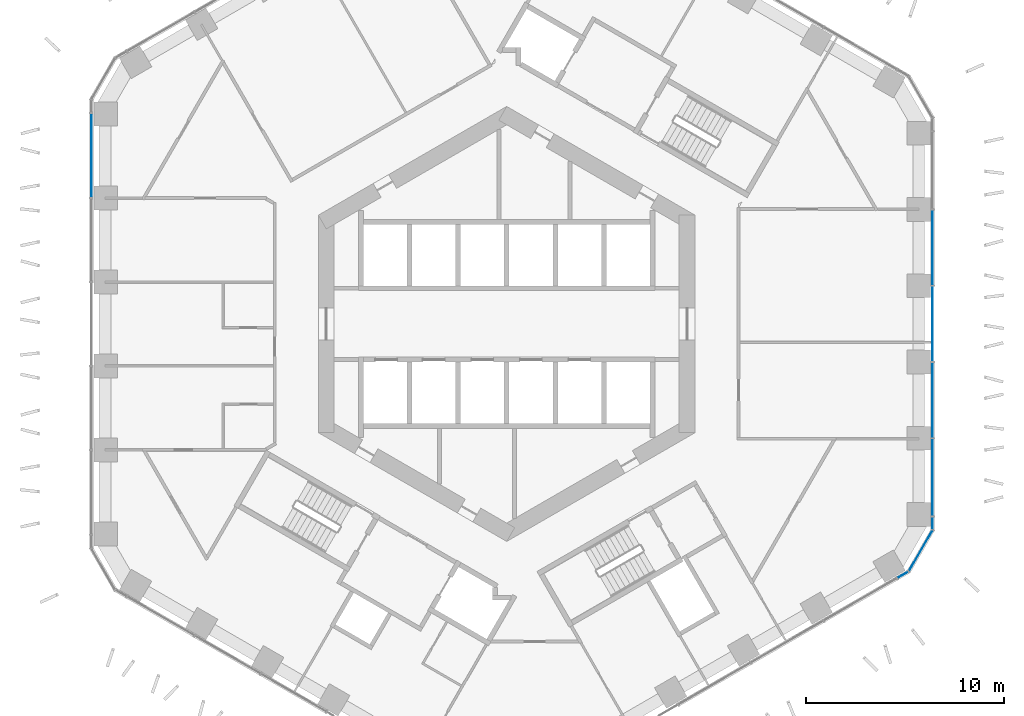
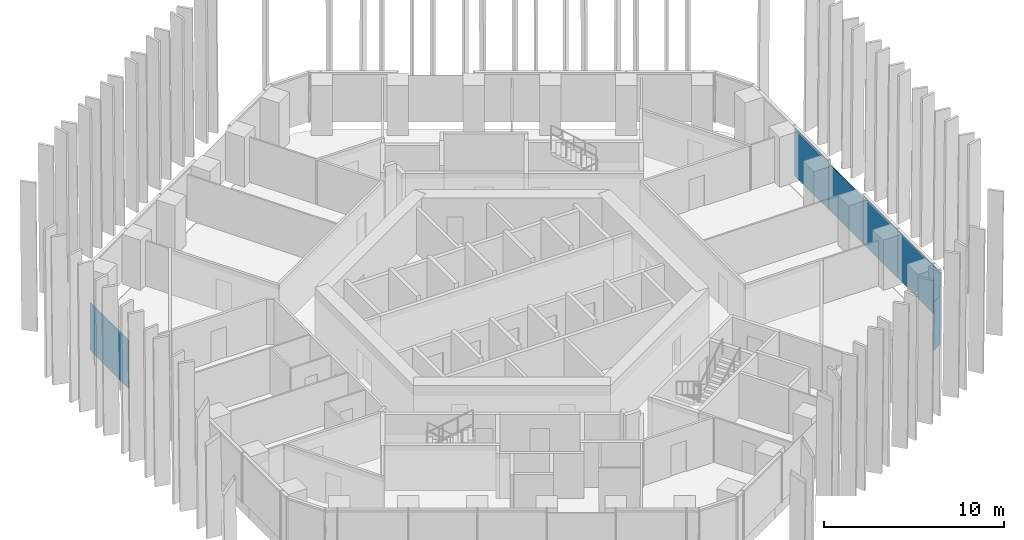
# One storey, part 10 of 19: 8 plates, 3 elements without a shape of their own.
"""IFC4 building model written with IfcOpenShell, lengths in metres."""

from ifc_helpers import new_model, si_unit, direction, frame, origin, origin_2d, place, context, subcontext, project, spatial, rectangle, extrude, material, layer, layer_set, type_object, element, aggregate, save


model = new_model("IFC4")

# Units and contexts
model_context = context("Model", 3, precision=1e-05, world=origin(), true_north=direction((0.0, 1.0)))
body_context = subcontext(model_context, "Body", "Model", "MODEL_VIEW")
ifc_project = project(units=[si_unit("LENGTHUNIT", "METRE"), si_unit("AREAUNIT", "SQUARE_METRE"), si_unit("VOLUMEUNIT", "CUBIC_METRE"), si_unit("PLANEANGLEUNIT", "RADIAN"), si_unit("MASSUNIT", "GRAM", prefix="KILO")], contexts=[model_context])

# Site, building, storey
site_placement = place(None, origin())
site = spatial("IfcSite", under=ifc_project, at=site_placement, CompositionType="ELEMENT")
building_placement = place(site_placement, origin())
building = spatial("IfcBuilding", under=site, at=building_placement, Name="Ayvan Gate Tower", CompositionType="ELEMENT")
storey_placement = place(building_placement, frame((0.0, 0.0, 56.10009765625)))
storey = spatial("IfcBuildingStorey", under=building, at=storey_placement, Name="L14", CompositionType="ELEMENT", Elevation=56.10009765625)

# Curtain wall, plate
ifc_material_1 = material(Name="Bronze anodised aluminium", Category="aluminium")
ifc_layer_1 = layer(ifc_material_1, 0.199951171875)
ifc_layer_set_1 = layer_set([ifc_layer_1], Name="Bronze anodised aluminium")
curtain_wall_type_1 = type_object("IfcCurtainWallType", Name="Stick curtain wall CW-1", PredefinedType="NOTDEFINED", material=ifc_layer_set_1)
curtain_wall_1_placement = place(storey_placement, origin())
curtain_wall_1 = element("IfcCurtainWall", 1, at=curtain_wall_1_placement, inside=storey, type_object=curtain_wall_type_1, Name="Stick curtain wall CW-1 L14", PredefinedType="NOTDEFINED")
ifc_material_2 = material(Name="Clear low-iron laminated glass", Category="glass")
ifc_layer_2 = layer(ifc_material_2, 0.028076171875)
ifc_layer_set_2 = layer_set([ifc_layer_2], Name="Clear low-iron laminated glass")
plate_type_1 = type_object("IfcPlateType", Name="Stick curtain wall CW-1 glass panel", PredefinedType="CURTAIN_PANEL", material=ifc_layer_set_2)
plate_1_placement = place(storey_placement, frame((-20.950439453125, 8.512451171875, 0.0), z_axis=(0.0, 0.0, 1.0), x_axis=(0.0, -1.0, 0.0)))
plate_1 = element("IfcPlate", 2, at=plate_1_placement, type_object=plate_type_1, Name="CW-1 glass panel 1", PredefinedType="CURTAIN_PANEL", context=body_context, shape_type="SweptSolid", body=[
    extrude(rectangle(XDim=4.251953125, YDim=0.028076171875, at=origin_2d()), origin(), (0.0, 0.0, 1.0), 3.280029296875),
])
aggregate(curtain_wall_1, [plate_1])

# Curtain wall, plates
curtain_wall_2_placement = place(storey_placement, origin())
curtain_wall_2 = element("IfcCurtainWall", 3, at=curtain_wall_2_placement, inside=storey, type_object=curtain_wall_type_1, Name="Stick curtain wall CW-1 L14", PredefinedType="NOTDEFINED")
plate_2_placement = place(storey_placement, frame((21.484619140625, -7.7568359375, 0.0), z_axis=(0.0, 0.0, 1.0), x_axis=(0.0, 1.0, 0.0)))
plate_2 = element("IfcPlate", 4, at=plate_2_placement, type_object=plate_type_1, Name="CW-1 glass panel 1", PredefinedType="CURTAIN_PANEL", context=body_context, shape_type="SweptSolid", body=[
    extrude(rectangle(XDim=3.9130859375, YDim=0.028076171875, at=origin_2d()), origin(), (0.0, 0.0, 1.0), 3.280029296875),
])
plate_3_placement = place(storey_placement, frame((21.484619140625, -3.846923828125, 0.0), z_axis=(0.0, 0.0, 1.0), x_axis=(0.0, 1.0, 0.0)))
plate_3 = element("IfcPlate", 5, at=plate_3_placement, type_object=plate_type_1, Name="CW-1 glass panel 2", PredefinedType="CURTAIN_PANEL", context=body_context, shape_type="SweptSolid", body=[
    extrude(rectangle(XDim=3.787109375, YDim=0.028076171875, at=origin_2d()), origin(), (0.0, 0.0, 1.0), 3.280029296875),
])
plate_4_placement = place(storey_placement, frame((21.484619140625, 0.000244140625, 0.0), z_axis=(0.0, 0.0, 1.0), x_axis=(0.0, 1.0, 0.0)))
plate_4 = element("IfcPlate", 6, at=plate_4_placement, type_object=plate_type_1, Name="CW-1 glass panel 3", PredefinedType="CURTAIN_PANEL", context=body_context, shape_type="SweptSolid", body=[
    extrude(rectangle(XDim=3.787109375, YDim=0.028076171875, at=origin_2d()), origin(), (0.0, 0.0, 1.0), 3.14990234375),
])
plate_5_placement = place(storey_placement, frame((21.484619140625, 3.84716796875, 0.0), z_axis=(0.0, 0.0, 1.0), x_axis=(0.0, 1.0, 0.0)))
plate_5 = element("IfcPlate", 7, at=plate_5_placement, type_object=plate_type_1, Name="CW-1 glass panel 4", PredefinedType="CURTAIN_PANEL", context=body_context, shape_type="SweptSolid", body=[
    extrude(rectangle(XDim=3.787109375, YDim=0.028076171875, at=origin_2d()), origin(), (0.0, 0.0, 1.0), 3.280029296875),
])
aggregate(curtain_wall_2, [plate_2, plate_3, plate_4, plate_5])

ifc_layer_3 = layer(ifc_material_1, 0.199951171875)
ifc_layer_set_3 = layer_set([ifc_layer_3], Name="Bronze anodised aluminium")
curtain_wall_type_2 = type_object("IfcCurtainWallType", Name="Stick curtain wall CW-6", PredefinedType="NOTDEFINED", material=ifc_layer_set_3)
curtain_wall_3_placement = place(storey_placement, origin())
curtain_wall_3 = element("IfcCurtainWall", 8, at=curtain_wall_3_placement, inside=storey, type_object=curtain_wall_type_2, Name="Stick curtain wall CW-6 L14", PredefinedType="NOTDEFINED")
ifc_layer_4 = layer(ifc_material_2, 0.028076171875)
ifc_layer_set_4 = layer_set([ifc_layer_4], Name="Clear low-iron laminated glass")
plate_type_2 = type_object("IfcPlateType", Name="Stick curtain wall CW-6 glass panel", PredefinedType="CURTAIN_PANEL", material=ifc_layer_set_4)
plate_6_placement = place(storey_placement, frame((19.985107421875, -12.653076171875, 0.0), z_axis=(0.0, 0.0, 1.0), x_axis=(0.866025403784, 0.5, 0.0)))
plate_6 = element("IfcPlate", 9, at=plate_6_placement, type_object=plate_type_2, Name="CW-6 glass panel 1", PredefinedType="CURTAIN_PANEL", context=body_context, shape_type="SweptSolid", body=[
    extrude(rectangle(XDim=0.625, YDim=0.028076171875, at=origin_2d()), origin(), (0.0, 0.0, 1.0), 3.280029296875),
])
plate_7_placement = place(storey_placement, frame((20.880859375, -11.43896484375, 0.0), z_axis=(0.0, 0.0, 1.0), x_axis=(0.5, 0.866025403784, 0.0)))
plate_7 = element("IfcPlate", 10, at=plate_7_placement, type_object=plate_type_2, Name="CW-6 glass panel 2", PredefinedType="CURTAIN_PANEL", context=body_context, shape_type="SweptSolid", body=[
    extrude(rectangle(XDim=2.364501953125, YDim=0.028076171875, at=origin_2d()), origin(), (0.0, 0.0, 1.0), 3.280029296875),
])
plate_8_placement = place(storey_placement, frame((21.484619140625, -10.055908203125, 0.0), z_axis=(0.0, 0.0, 1.0), x_axis=(0.0, 1.0, 0.0)))
plate_8 = element("IfcPlate", 11, at=plate_8_placement, type_object=plate_type_2, Name="CW-6 glass panel 3", PredefinedType="CURTAIN_PANEL", context=body_context, shape_type="SweptSolid", body=[
    extrude(rectangle(XDim=0.625, YDim=0.028076171875, at=origin_2d()), origin(), (0.0, 0.0, 1.0), 3.280029296875),
])
aggregate(curtain_wall_3, [plate_6, plate_7, plate_8])

save(model, "model.ifc")
